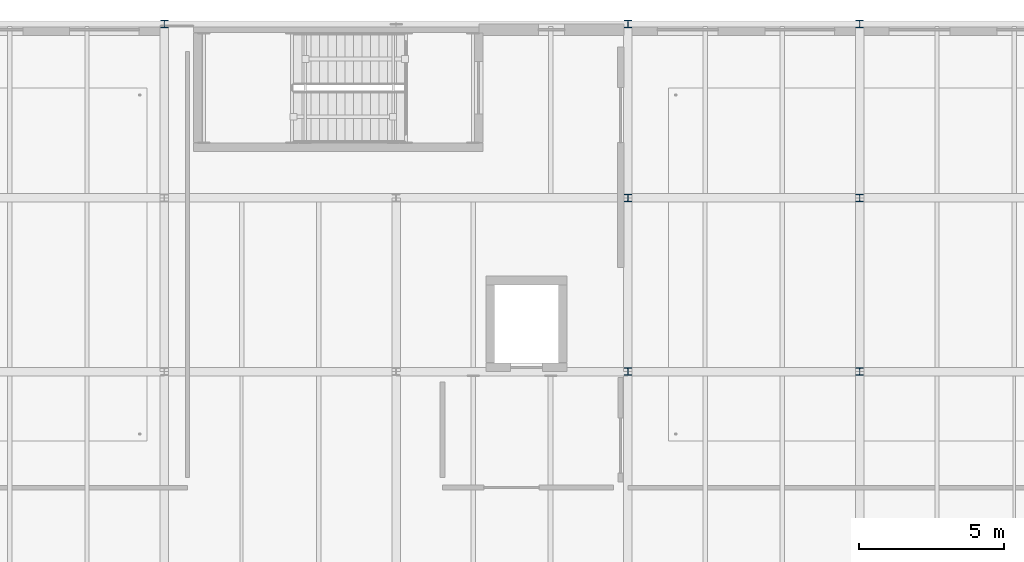
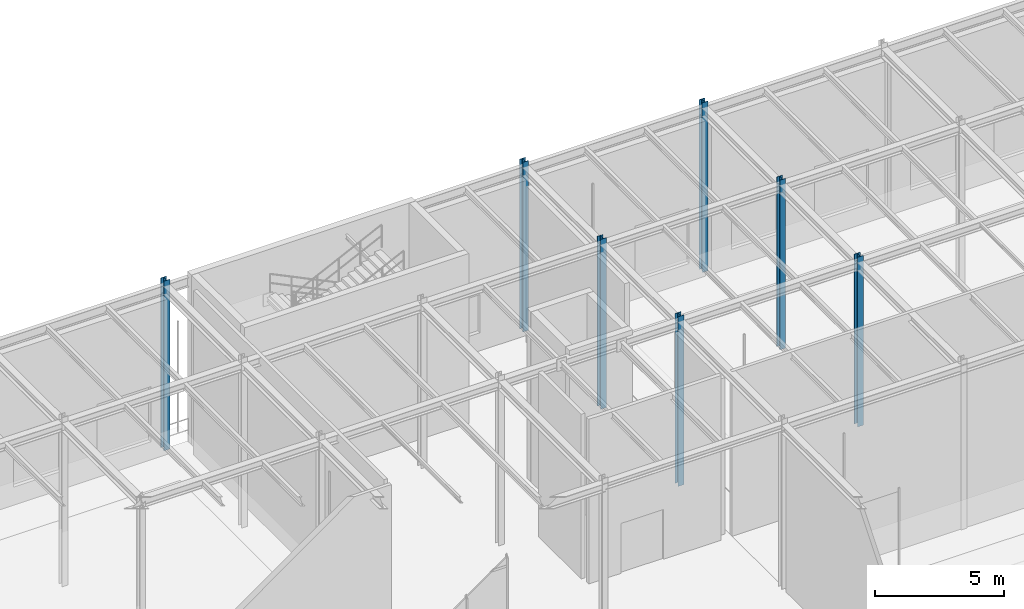
# One storey, part 10 of 138: 7 columns.
"""IFC4 building model written with IfcOpenShell, lengths in metres."""

from ifc_helpers import new_model, si_unit, direction, frame, origin, origin_2d, place, context, subcontext, project, spatial, i_section, extrude, material, material_profile, profile_set, type_object, element, save


model = new_model("IFC4")

# Units and contexts
model_context = context("Model", 3, precision=1e-05, world=origin(), true_north=direction((0.0, 1.0)))
body_context = subcontext(model_context, "Body", "Model", "MODEL_VIEW")
ifc_project = project(units=[si_unit("LENGTHUNIT", "METRE"), si_unit("AREAUNIT", "SQUARE_METRE"), si_unit("VOLUMEUNIT", "CUBIC_METRE"), si_unit("PLANEANGLEUNIT", "RADIAN"), si_unit("MASSUNIT", "GRAM", prefix="KILO")], contexts=[model_context])

# Site, building, storey
site_placement = place(None, origin())
site = spatial("IfcSite", under=ifc_project, at=site_placement, CompositionType="ELEMENT")
building_placement = place(site_placement, origin())
building = spatial("IfcBuilding", under=site, at=building_placement, Name="Sundkrona Museum", CompositionType="ELEMENT")
storey_placement = place(building_placement, frame((0.0, 0.0, 9.60009765625)))
storey = spatial("IfcBuildingStorey", under=building, at=storey_placement, Name="L02", CompositionType="ELEMENT", Elevation=9.60009765625)

# Columns
ifc_material = material(Name="Steel S355J2", Category="steel")
ifc_material_profile = material_profile(ifc_material, i_section(OverallWidth=0.260009765625, OverallDepth=0.260009765625, WebThickness=0.010009765625, FlangeThickness=0.017578125, FilletRadius=0.02392578125, at=origin_2d()), Name="HEB 260")
ifc_profile_set = profile_set([ifc_material_profile], Name="Steel S355J2")
column_type = type_object("IfcColumnType", Name="C-HEB260", PredefinedType="COLUMN", material=ifc_profile_set)
for number, where, z_axis, x_axis, name in (
    (1, (40.0, 114.0, 0.0), (0.0, 0.0, 1.0), (1.0, 0.0, 0.0), "L02 Column R/6"),
    (2, (56.0, 102.0, 0.0), (0.0, 0.0, 1.0), (1.0, 0.0, 0.0), "L02 Column P/8"),
    (3, (56.0, 108.0, 0.0), (0.0, 0.0, 1.0), (1.0, 0.0, 0.0), "L02 Column Q/8"),
    (4, (56.0, 114.0, 0.0), (0.0, 0.0, 1.0), (1.0, 0.0, 0.0), "L02 Column R/8"),
    (5, (64.0, 102.0, 0.0), (0.0, 0.0, 1.0), (1.0, 0.0, 0.0), "L02 Column P/9"),
    (6, (64.0, 108.0, 0.0), (0.0, 0.0, 1.0), (1.0, 0.0, 0.0), "L02 Column Q/9"),
    (7, (64.0, 114.0, 0.0), (0.0, 0.0, 1.0), (1.0, 0.0, 0.0), "L02 Column R/9"),
):
    element("IfcColumn", number, at=place(storey_placement, frame(where, z_axis=z_axis, x_axis=x_axis)), inside=storey, type_object=column_type, Name=name, PredefinedType="COLUMN", context=body_context, shape_type="SweptSolid", body=[
        extrude(i_section(OverallWidth=0.260009765625, OverallDepth=0.260009765625, WebThickness=0.010009765625, FlangeThickness=0.017578125, FilletRadius=0.02392578125, at=origin_2d()), origin(), (0.0, 0.0, 1.0), 8.0),
    ])

save(model, "model.ifc")
